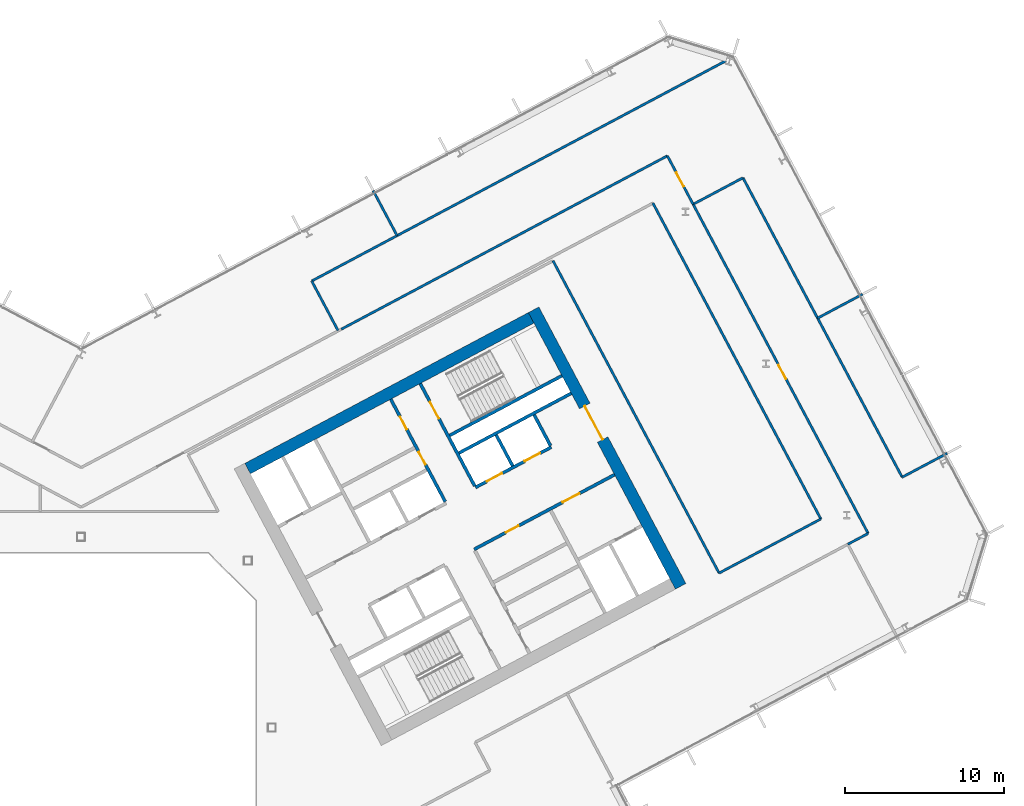
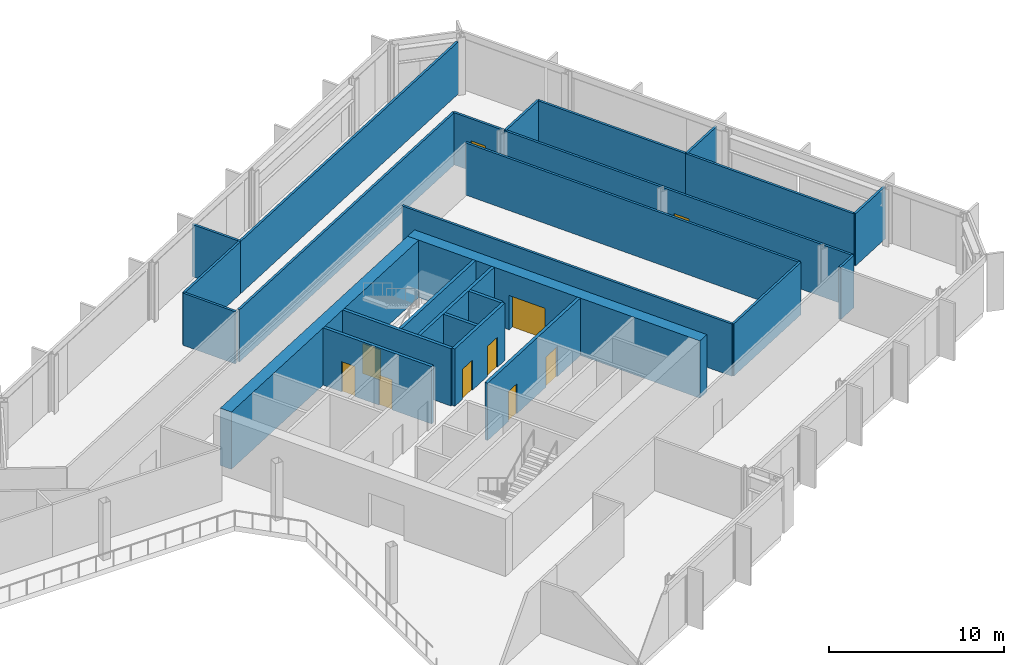
# One storey, part 17 of 28: 26 walls, 10 doors, 10 openings.
"""IFC4 building model written with IfcOpenShell, lengths in metres."""

import ifcopenshell
import ifcopenshell.guid

model = None  # the IFC model being written
_history = None  # IfcOwnerHistory: only IFC2X3 demands one
_inside = {}  # id of a spatial element -> (the spatial element, [elements in it])
_under = {}  # id of a project, library or spatial element -> (it, [spatial elements below it])
_declared = {}  # id of a project -> (the project, [libraries it declares])
_typed = {}  # id of a type object -> (the type object, [elements of that type])
_made_of = {}  # id of a material, layer set ... -> (it, [elements and type objects made of it])


def new_model(schema):
    """Start an empty IFC model of exactly this schema.

    Asked for "IFC4X3", IfcOpenShell would pick the latest addendum, in which some entities
    have other attributes; the version numbers below select the first issue.
    IFC2X3 requires an IfcOwnerHistory on every rooted entity: one is made here for all.
    """
    global model, _history
    if schema == "IFC4X3":
        model = ifcopenshell.file(schema_version=(4, 3, 0, 0))
    else:
        model = ifcopenshell.file(schema=schema)
    _inside.clear()
    _under.clear()
    _declared.clear()
    _typed.clear()
    _made_of.clear()
    _history = None
    if model.schema == "IFC2X3":
        org = make("IfcOrganization", Name="unknown")
        user = make(
            "IfcPersonAndOrganization",
            ThePerson=make("IfcPerson", FamilyName="unknown"),
            TheOrganization=org,
        )
        app = make(
            "IfcApplication",
            ApplicationDeveloper=org,
            Version="unknown",
            ApplicationFullName="unknown",
            ApplicationIdentifier="unknown",
        )
        _history = make(
            "IfcOwnerHistory",
            OwningUser=user,
            OwningApplication=app,
            ChangeAction="ADDED",
            CreationDate=0,
        )
    return model


def make(cls, **values):
    """One entity of the class cls with the attributes given. An attribute that is None is left unset."""
    return model.create_entity(
        cls, **{name: value for name, value in values.items() if value is not None}
    )


def rooted(cls, **values):
    """An entity with a GlobalId (a new one), such as an element, a storey or a relation."""
    return make(cls, GlobalId=ifcopenshell.guid.new(), OwnerHistory=_history, **values)


def si_unit(unit_type, name, prefix=None):
    """IfcSIUnit, for example si_unit("LENGTHUNIT", "METRE", prefix="MILLI")."""
    return make("IfcSIUnit", UnitType=unit_type, Prefix=prefix, Name=name)


def assignment(units):
    """IfcUnitAssignment: the units of a project."""
    return None if units is None else make("IfcUnitAssignment", Units=units)


def point(xyz):
    """IfcCartesianPoint."""
    return None if xyz is None else make("IfcCartesianPoint", Coordinates=xyz)


def direction(xyz):
    """IfcDirection."""
    return None if xyz is None else make("IfcDirection", DirectionRatios=xyz)


def frame(location, z_axis=None, x_axis=None):
    """IfcAxis2Placement3D, a coordinate frame: its origin and axes. An axis left out is left unset."""
    return make(
        "IfcAxis2Placement3D",
        Location=point(location),
        Axis=direction(z_axis),
        RefDirection=direction(x_axis),
    )


def frame_2d(location, x_axis=None):
    """IfcAxis2Placement2D, a coordinate frame in the plane: its origin and x axis."""
    return make(
        "IfcAxis2Placement2D", Location=point(location), RefDirection=direction(x_axis)
    )


def origin():
    """The frame at (0, 0, 0) with its axes left unset."""
    return frame((0.0, 0.0, 0.0))


def place(relative_to, where):
    """IfcLocalPlacement: puts the frame where relative to a parent placement (None: the world)."""
    return make(
        "IfcLocalPlacement", PlacementRelTo=relative_to, RelativePlacement=where
    )


def context(
    kind, dimensions, precision=None, world=None, true_north=None, identifier=None
):
    """IfcGeometricRepresentationContext, for example the 3D "Model" context."""
    return make(
        "IfcGeometricRepresentationContext",
        ContextIdentifier=identifier,
        ContextType=kind,
        CoordinateSpaceDimension=dimensions,
        Precision=precision,
        WorldCoordinateSystem=world,
        TrueNorth=true_north,
    )


def subcontext(parent, identifier, kind, view, scale=None):
    """IfcGeometricRepresentationSubContext, for example "Body" below "Model"."""
    return make(
        "IfcGeometricRepresentationSubContext",
        ContextIdentifier=identifier,
        ContextType=kind,
        ParentContext=parent,
        TargetScale=scale,
        TargetView=view,
    )


def project(units=None, contexts=None):
    """IfcProject with its units and contexts."""
    return rooted(
        "IfcProject",
        Name="project",
        RepresentationContexts=contexts,
        UnitsInContext=assignment(units),
    )


def spatial(cls, under=None, at=None, **own):
    """A site, building, storey or space (cls), placed at a placement, below another one or the project."""
    s = rooted(cls, ObjectPlacement=at, **own)
    if under is not None:
        _under.setdefault(under.id(), (under, []))[1].append(s)
    return s


def profile(cls, at=None, kind="AREA", **sizes):
    """A parametric profile (cls). Its sizes go by their IFC names, for example OverallWidth=200.0."""
    return make(cls, ProfileType=kind, Position=at, **sizes)


def rectangle(**sizes):
    """IfcRectangleProfileDef."""
    return profile("IfcRectangleProfileDef", **sizes)


def extrude(swept, where, along, depth):
    """IfcExtrudedAreaSolid: the profile swept, set in the frame where, extruded along a direction by depth."""
    return make(
        "IfcExtrudedAreaSolid",
        SweptArea=swept,
        Position=where,
        ExtrudedDirection=direction(along),
        Depth=depth,
    )


def shape(context_of_items, identifier, shape_type, items):
    """IfcShapeRepresentation: the items that make up one representation, for example the "Body"."""
    return make(
        "IfcShapeRepresentation",
        ContextOfItems=context_of_items,
        RepresentationIdentifier=identifier,
        RepresentationType=shape_type,
        Items=items,
    )


def material(Name=None, Category=None):
    """IfcMaterial."""
    return make("IfcMaterial", Name=Name, Category=Category)


def layer(
    of_material, thickness, ventilated=None, Name=None, Category=None, Priority=None
):
    """IfcMaterialLayer: one layer of a wall or slab, of a material (None: an air gap)."""
    return make(
        "IfcMaterialLayer",
        Material=of_material,
        LayerThickness=thickness,
        IsVentilated=ventilated,
        Name=Name,
        Category=Category,
        Priority=Priority,
    )


def layer_set(layers, Name=None):
    """IfcMaterialLayerSet."""
    return make("IfcMaterialLayerSet", MaterialLayers=layers, LayerSetName=Name)


def made_of(thing, what):
    """Note that an element or type object is made of a material, layer set ...; save() writes the relation."""
    if what is not None:
        _made_of.setdefault(what.id(), (what, []))[1].append(thing)
    return thing


def type_object(cls, material=None, **own):
    """A type object (cls), such as IfcWallType, which elements share."""
    return made_of(rooted(cls, **own), material)


def element(
    cls,
    number,
    at=None,
    inside=None,
    cuts=None,
    type_object=None,
    material=None,
    context=None,
    identifier="Body",
    shape_type=None,
    held_by="IfcProductDefinitionShape",
    body=None,
    shapes=None,
    **own,
):
    """One element of the class cls, such as IfcWall. Its Tag is "e" and its number.

    at: its placement. inside: the storey or other place that contains it. cuts: it is an
    opening in that element (IfcRelVoidsElement). A single representation is given by context,
    identifier, shape_type and body (its items); several are given by shapes. held_by: the class
    of the entity that holds the representations. save() writes the other relations.
    """
    e = rooted(cls, Tag="e%d" % number, ObjectPlacement=at, **own)
    if body is not None:
        shapes = [shape(context, identifier, shape_type, body)]
    if shapes is not None:
        e.Representation = make(held_by, Representations=shapes)
    if inside is not None:
        _inside.setdefault(inside.id(), (inside, []))[1].append(e)
    if cuts is not None:
        rooted(
            "IfcRelVoidsElement", RelatingBuildingElement=cuts, RelatedOpeningElement=e
        )
    if type_object is not None:
        _typed.setdefault(type_object.id(), (type_object, []))[1].append(e)
    return made_of(e, material)


def fill(opening, filler):
    """IfcRelFillsElement: the door or window that sits in an opening."""
    return rooted(
        "IfcRelFillsElement",
        RelatingOpeningElement=opening,
        RelatedBuildingElement=filler,
    )


def aggregate(whole, parts):
    """IfcRelAggregates: a whole, such as a stair, and the parts it consists of."""
    return rooted("IfcRelAggregates", RelatingObject=whole, RelatedObjects=parts)


def save(model, path):
    """Write the relations noted so far, then the file.

    IfcRelAggregates (storeys below a building ...), IfcRelContainedInSpatialStructure (elements
    in a storey), IfcRelDefinesByType, IfcRelAssociatesMaterial and IfcRelDeclares: one each for
    every whole, place, type object, material and project.
    """
    for whole, parts in _under.values():
        aggregate(whole, parts)
    for where, things in _inside.values():
        rooted(
            "IfcRelContainedInSpatialStructure",
            RelatedElements=things,
            RelatingStructure=where,
        )
    for kind, things in _typed.values():
        rooted("IfcRelDefinesByType", RelatedObjects=things, RelatingType=kind)
    for what, things in _made_of.values():
        rooted("IfcRelAssociatesMaterial", RelatedObjects=things, RelatingMaterial=what)
    for by, libraries in _declared.values():
        rooted("IfcRelDeclares", RelatingContext=by, RelatedDefinitions=libraries)
    model.write(path)


model = new_model("IFC4")

# Units and contexts
model_context = context("Model", 3, precision=1e-05, world=origin(), true_north=direction((0.0, 1.0)))
body_context = subcontext(model_context, "Body", "Model", "MODEL_VIEW")
ifc_project = project(units=[si_unit("LENGTHUNIT", "METRE"), si_unit("AREAUNIT", "SQUARE_METRE"), si_unit("VOLUMEUNIT", "CUBIC_METRE"), si_unit("PLANEANGLEUNIT", "RADIAN"), si_unit("MASSUNIT", "GRAM", prefix="KILO")], contexts=[model_context])

# Site, building, storey
site_placement = place(None, origin())
site = spatial("IfcSite", under=ifc_project, at=site_placement, CompositionType="ELEMENT")
building_placement = place(site_placement, origin())
building = spatial("IfcBuilding", under=site, at=building_placement, Name="Cormorant Relay Tower", CompositionType="ELEMENT")
storey_placement = place(building_placement, frame((0.0, 0.0, 162.199951171875)))
storey = spatial("IfcBuildingStorey", under=building, at=storey_placement, Name="L34", CompositionType="ELEMENT", Elevation=162.199951171875)

# Wall
ifc_material_1 = material(Name="Concrete 40 MPa", Category="concrete")
ifc_layer_1 = layer(ifc_material_1, 0.199951171875)
ifc_layer_set_1 = layer_set([ifc_layer_1], Name="Core internal wall 200")
wall_type_1 = type_object("IfcWallType", Name="Core internal wall 200", PredefinedType="SOLIDWALL", material=ifc_layer_set_1)
wall_1_placement = place(storey_placement, frame((27.144287109375, 16.471435546875, 0.0), z_axis=(0.0, 0.0, 1.0), x_axis=(-0.469401318492, 0.882984938828, 0.0)))
element("IfcWall", 1, at=wall_1_placement, inside=storey, type_object=wall_type_1, Name="L34 core B shaft and room wall", PredefinedType="SOLIDWALL", context=body_context, shape_type="SweptSolid", body=[
    extrude(rectangle(XDim=2.199951171875, YDim=0.199951171875, at=frame_2d((1.10009765625, 0.0))), origin(), (0.0, 0.0, 1.0), 4.0),
])

# Wall, openings, doors
ifc_material_2 = material(Name="Concrete 50 MPa", Category="concrete")
ifc_layer_2 = layer(ifc_material_2, 0.199951171875)
ifc_layer_set_2 = layer_set([ifc_layer_2], Name="Core shaft wall 200")
wall_type_2 = type_object("IfcWallType", Name="Core shaft wall 200", PredefinedType="SHEAR", material=ifc_layer_set_2)
wall_2_placement = place(storey_placement, frame((22.90625, 14.218017578125, 0.0), z_axis=(0.0, 0.0, 1.0), x_axis=(-0.469480409012, 0.88294288918, 0.0)))
wall_2 = element("IfcWall", 2, at=wall_2_placement, inside=storey, type_object=wall_type_2, Name="L34 core B shaft wall", PredefinedType="SHEAR", context=body_context, shape_type="SweptSolid", body=[
    extrude(rectangle(XDim=7.300048828125, YDim=0.199951171875, at=frame_2d((3.64990234375, 0.0))), origin(), (0.0, 0.0, 1.0), 4.0),
])
opening_1_placement = place(wall_2_placement, frame((2.64990234375, 0.0, 0.0)))
opening_1 = element("IfcOpeningElement", 3, at=opening_1_placement, cuts=wall_2, Name="Opening CDD-208", PredefinedType="OPENING", context=body_context, shape_type="SweptSolid", body=[
    extrude(rectangle(XDim=0.89990234375, YDim=2.10009765625, at=frame_2d((0.449951171875, 1.050048828125))), frame((0.0, 0.10986328125, 0.0), z_axis=(0.0, -1.0, 0.0), x_axis=(1.0, 0.0, 0.0)), (0.0, 0.0, 1.0), 0.219970703125),
])
opening_2_placement = place(wall_2_placement, frame((5.14990234375, 0.0, 0.0)))
opening_2 = element("IfcOpeningElement", 4, at=opening_2_placement, cuts=wall_2, Name="Opening CDD-209", PredefinedType="OPENING", context=body_context, shape_type="SweptSolid", body=[
    extrude(rectangle(XDim=0.89990234375, YDim=2.10009765625, at=frame_2d((0.449951171875, 1.050048828125))), frame((0.0, 0.10986328125, 0.0), z_axis=(0.0, -1.0, 0.0), x_axis=(1.0, 0.0, 0.0)), (0.0, 0.0, 1.0), 0.219970703125),
])
ifc_material_3 = material(Name="Steel fire door", Category="steel")
door_type_1 = type_object("IfcDoorType", Name="Core room door 900x2100", OperationType="SINGLE_SWING_LEFT", PredefinedType="DOOR", material=ifc_material_3)
door_1_placement = place(opening_1_placement, origin())
door_1 = element("IfcDoor", 5, at=door_1_placement, inside=storey, type_object=door_type_1, Name="Core room door 900x2100", OperationType="SINGLE_SWING_RIGHT", OverallHeight=2.10009765625, OverallWidth=0.89990234375, PredefinedType="DOOR", context=body_context, shape_type="SweptSolid", body=[
    extrude(rectangle(XDim=0.89990234375, YDim=2.10009765625, at=frame_2d((0.449951171875, 1.050048828125))), frame((0.0, 0.02490234375, 0.0), z_axis=(0.0, -1.0, 0.0), x_axis=(1.0, 0.0, 0.0)), (0.0, 0.0, 1.0), 0.050048828125),
])
fill(opening_1, door_1)
door_2_placement = place(opening_2_placement, origin())
door_2 = element("IfcDoor", 6, at=door_2_placement, inside=storey, type_object=door_type_1, Name="Core room door 900x2100", OperationType="SINGLE_SWING_LEFT", OverallHeight=2.10009765625, OverallWidth=0.89990234375, PredefinedType="DOOR", context=body_context, shape_type="SweptSolid", body=[
    extrude(rectangle(XDim=0.89990234375, YDim=2.10009765625, at=frame_2d((0.449951171875, 1.050048828125))), frame((0.0, 0.02490234375, 0.0), z_axis=(0.0, -1.0, 0.0), x_axis=(1.0, 0.0, 0.0)), (0.0, 0.0, 1.0), 0.050048828125),
])
fill(opening_2, door_2)

# Wall, opening, door
wall_3_placement = place(storey_placement, frame((24.760498046875, 15.2041015625, 0.0), z_axis=(0.0, 0.0, 1.0), x_axis=(-0.469494272526, 0.882935517501, 0.0)))
wall_3 = element("IfcWall", 7, at=wall_3_placement, inside=storey, type_object=wall_type_2, Name="L34 core B shaft wall", PredefinedType="SHEAR", context=body_context, shape_type="SweptSolid", body=[
    extrude(rectangle(XDim=7.2998046875, YDim=0.199951171875, at=frame_2d((3.64990234375, 0.0))), origin(), (0.0, 0.0, 1.0), 4.0),
])
opening_3_placement = place(wall_3_placement, frame((4.800048828125, 0.0, 0.0)))
opening_3 = element("IfcOpeningElement", 8, at=opening_3_placement, cuts=wall_3, Name="Opening CDB-037", PredefinedType="OPENING", context=body_context, shape_type="SweptSolid", body=[
    extrude(rectangle(XDim=1.199951171875, YDim=2.10009765625, at=frame_2d((0.60009765625, 1.050048828125))), frame((0.0, 0.10986328125, 0.0), z_axis=(0.0, -1.0, 0.0), x_axis=(1.0, 0.0, 0.0)), (0.0, 0.0, 1.0), 0.219970703125),
])
ifc_material_4 = material(Name="Steel fire door", Category="steel")
door_type_2 = type_object("IfcDoorType", Name="Core stair door 1200x2100", OperationType="SINGLE_SWING_LEFT", PredefinedType="DOOR", material=ifc_material_4)
door_3_placement = place(opening_3_placement, frame((1.199951171875, 0.0, 0.0), z_axis=(0.0, 0.0, 1.0), x_axis=(-1.0, 0.0, 0.0)))
door_3 = element("IfcDoor", 9, at=door_3_placement, inside=storey, type_object=door_type_2, Name="Core stair door 1200x2100", OperationType="SINGLE_SWING_RIGHT", OverallHeight=2.10009765625, OverallWidth=1.199951171875, PredefinedType="DOOR", context=body_context, shape_type="SweptSolid", body=[
    extrude(rectangle(XDim=1.199951171875, YDim=2.10009765625, at=frame_2d((0.60009765625, 1.050048828125))), frame((0.0, 0.02490234375, 0.0), z_axis=(0.0, -1.0, 0.0), x_axis=(1.0, 0.0, 0.0)), (0.0, 0.0, 1.0), 0.050048828125),
])
fill(opening_3, door_3)

# Wall
wall_4_placement = place(storey_placement, frame((29.5283203125, 17.739013671875, 0.0), z_axis=(0.0, 0.0, 1.0), x_axis=(-0.469401318492, 0.882984938828, 0.0)))
element("IfcWall", 10, at=wall_4_placement, inside=storey, type_object=wall_type_2, Name="L34 core B shaft wall", PredefinedType="SHEAR", context=body_context, shape_type="SweptSolid", body=[
    extrude(rectangle(XDim=2.199951171875, YDim=0.199951171875, at=frame_2d((1.10009765625, 0.0))), origin(), (0.0, 0.0, 1.0), 4.0),
])

# Wall, openings, doors
wall_5_placement = place(storey_placement, frame((24.72607421875, 11.2216796875, 0.0), z_axis=(0.0, 0.0, 1.0), x_axis=(0.882940221191, 0.469485426614, 0.0)))
wall_5 = element("IfcWall", 11, at=wall_5_placement, inside=storey, type_object=wall_type_2, Name="L34 core B shaft wall", PredefinedType="SHEAR", context=body_context, shape_type="SweptSolid", body=[
    extrude(rectangle(XDim=10.0, YDim=0.199951171875, at=frame_2d((5.0, 0.0))), origin(), (0.0, 0.0, 1.0), 4.0),
])
opening_4_placement = place(wall_5_placement, frame((6.300048828125, 0.0, 0.0)))
opening_4 = element("IfcOpeningElement", 12, at=opening_4_placement, cuts=wall_5, Name="Opening CDC-030", PredefinedType="OPENING", context=body_context, shape_type="SweptSolid", body=[
    extrude(rectangle(XDim=1.199951171875, YDim=2.10009765625, at=frame_2d((0.60009765625, 1.050048828125))), frame((0.0, 0.10986328125, 0.0), z_axis=(0.0, -1.0, 0.0), x_axis=(1.0, 0.0, 0.0)), (0.0, 0.0, 1.0), 0.219970703125),
])
opening_5_placement = place(wall_5_placement, frame((2.25, 0.0, 0.0)))
opening_5 = element("IfcOpeningElement", 13, at=opening_5_placement, cuts=wall_5, Name="Opening CDD-191", PredefinedType="OPENING", context=body_context, shape_type="SweptSolid", body=[
    extrude(rectangle(XDim=0.89990234375, YDim=2.10009765625, at=frame_2d((0.449951171875, 1.050048828125))), frame((0.0, 0.10986328125, 0.0), z_axis=(0.0, -1.0, 0.0), x_axis=(1.0, 0.0, 0.0)), (0.0, 0.0, 1.0), 0.219970703125),
])
ifc_material_5 = material(Name="Steel fire door", Category="steel")
door_type_3 = type_object("IfcDoorType", Name="Core lobby door 1200x2100", OperationType="SINGLE_SWING_LEFT", PredefinedType="DOOR", material=ifc_material_5)
door_4_placement = place(opening_4_placement, origin())
door_4 = element("IfcDoor", 14, at=door_4_placement, inside=storey, type_object=door_type_3, Name="Core lobby door 1200x2100", OperationType="SINGLE_SWING_LEFT", OverallHeight=2.10009765625, OverallWidth=1.199951171875, PredefinedType="DOOR", context=body_context, shape_type="SweptSolid", body=[
    extrude(rectangle(XDim=1.199951171875, YDim=2.10009765625, at=frame_2d((0.60009765625, 1.050048828125))), frame((0.0, 0.02490234375, 0.0), z_axis=(0.0, -1.0, 0.0), x_axis=(1.0, 0.0, 0.0)), (0.0, 0.0, 1.0), 0.050048828125),
])
fill(opening_4, door_4)
door_5_placement = place(opening_5_placement, origin())
door_5 = element("IfcDoor", 15, at=door_5_placement, inside=storey, type_object=door_type_1, Name="Core room door 900x2100", OperationType="SINGLE_SWING_LEFT", OverallHeight=2.10009765625, OverallWidth=0.89990234375, PredefinedType="DOOR", context=body_context, shape_type="SweptSolid", body=[
    extrude(rectangle(XDim=0.89990234375, YDim=2.10009765625, at=frame_2d((0.449951171875, 1.050048828125))), frame((0.0, 0.02490234375, 0.0), z_axis=(0.0, -1.0, 0.0), x_axis=(1.0, 0.0, 0.0)), (0.0, 0.0, 1.0), 0.050048828125),
])
fill(opening_5, door_5)

wall_6_placement = place(storey_placement, frame((24.807373046875, 15.11572265625, 0.0), z_axis=(0.0, 0.0, 1.0), x_axis=(0.882942972946, 0.469480251476, 0.0)))
wall_6 = element("IfcWall", 16, at=wall_6_placement, inside=storey, type_object=wall_type_2, Name="L34 core B shaft wall", PredefinedType="SHEAR", context=body_context, shape_type="SweptSolid", body=[
    extrude(rectangle(XDim=5.39990234375, YDim=0.199951171875, at=frame_2d((2.699951171875, 0.0))), origin(), (0.0, 0.0, 1.0), 4.0),
])
opening_6_placement = place(wall_6_placement, frame((0.800048828125, 0.0, 0.0)))
opening_6 = element("IfcOpeningElement", 17, at=opening_6_placement, cuts=wall_6, Name="Opening LD1-046", PredefinedType="OPENING", context=body_context, shape_type="SweptSolid", body=[
    extrude(rectangle(XDim=1.10009765625, YDim=2.10009765625, at=frame_2d((0.550048828125, 1.050048828125))), frame((0.0, 0.10986328125, 0.0), z_axis=(0.0, -1.0, 0.0), x_axis=(1.0, 0.0, 0.0)), (0.0, 0.0, 1.0), 0.219970703125),
])
opening_7_placement = place(wall_6_placement, frame((3.5, 0.0, 0.0)))
opening_7 = element("IfcOpeningElement", 18, at=opening_7_placement, cuts=wall_6, Name="Opening LD1-047", PredefinedType="OPENING", context=body_context, shape_type="SweptSolid", body=[
    extrude(rectangle(XDim=1.10009765625, YDim=2.10009765625, at=frame_2d((0.550048828125, 1.050048828125))), frame((0.0, 0.10986328125, 0.0), z_axis=(0.0, -1.0, 0.0), x_axis=(1.0, 0.0, 0.0)), (0.0, 0.0, 1.0), 0.219970703125),
])
ifc_material_6 = material(Name="Stainless steel 316", Category="steel")
door_type_4 = type_object("IfcDoorType", Name="Lift landing door 1100x2100", OperationType="DOUBLE_DOOR_SLIDING", PredefinedType="DOOR", material=ifc_material_6)
door_6_placement = place(opening_6_placement, origin())
door_6 = element("IfcDoor", 19, at=door_6_placement, inside=storey, type_object=door_type_4, Name="LR3 landing door", OperationType="DOUBLE_DOOR_SLIDING", OverallHeight=2.10009765625, OverallWidth=1.10009765625, PredefinedType="DOOR", context=body_context, shape_type="SweptSolid", body=[
    extrude(rectangle(XDim=1.10009765625, YDim=2.10009765625, at=frame_2d((0.550048828125, 1.050048828125))), frame((0.0, 0.02490234375, 0.0), z_axis=(0.0, -1.0, 0.0), x_axis=(1.0, 0.0, 0.0)), (0.0, 0.0, 1.0), 0.050048828125),
])
fill(opening_6, door_6)
door_7_placement = place(opening_7_placement, origin())
door_7 = element("IfcDoor", 20, at=door_7_placement, inside=storey, type_object=door_type_4, Name="LR4 landing door", OperationType="DOUBLE_DOOR_SLIDING", OverallHeight=2.10009765625, OverallWidth=1.10009765625, PredefinedType="DOOR", context=body_context, shape_type="SweptSolid", body=[
    extrude(rectangle(XDim=1.10009765625, YDim=2.10009765625, at=frame_2d((0.550048828125, 1.050048828125))), frame((0.0, 0.02490234375, 0.0), z_axis=(0.0, -1.0, 0.0), x_axis=(1.0, 0.0, 0.0)), (0.0, 0.0, 1.0), 0.050048828125),
])
fill(opening_7, door_7)

# Walls
wall_7_placement = place(storey_placement, frame((23.76904296875, 17.28173828125, 0.0), z_axis=(0.0, 0.0, 1.0), x_axis=(0.882940221191, 0.469485426614, 0.0)))
element("IfcWall", 21, at=wall_7_placement, inside=storey, type_object=wall_type_2, Name="L34 core B shaft wall", PredefinedType="SHEAR", context=body_context, shape_type="SweptSolid", body=[
    extrude(rectangle(XDim=8.0, YDim=0.199951171875, at=frame_2d((4.0, 0.0))), origin(), (0.0, 0.0, 1.0), 4.0),
])
wall_8_placement = place(storey_placement, frame((23.18212890625, 18.385498046875, 0.0), z_axis=(0.0, 0.0, 1.0), x_axis=(0.88295287151, 0.469461634952, 0.0)))
element("IfcWall", 22, at=wall_8_placement, inside=storey, type_object=wall_type_2, Name="L34 core B shaft wall", PredefinedType="SHEAR", context=body_context, shape_type="SweptSolid", body=[
    extrude(rectangle(XDim=7.999755859375, YDim=0.199951171875, at=frame_2d((4.0, 0.0))), origin(), (0.0, 0.0, 1.0), 4.0),
])

# Wall, opening, door
ifc_material_7 = material(Name="Concrete 60 MPa", Category="concrete")
ifc_layer_3 = layer(ifc_material_7, 0.75)
ifc_layer_set_3 = layer_set([ifc_layer_3], Name="Core wall 750")
wall_type_3 = type_object("IfcWallType", Name="Core wall 750", PredefinedType="SHEAR", material=ifc_layer_set_3)
wall_9_placement = place(storey_placement, frame((37.712646484375, 8.896484375, 0.0), z_axis=(0.0, 0.0, 1.0), x_axis=(-0.469469918705, 0.88294846703, 0.0)))
wall_9 = element("IfcWall", 23, at=wall_9_placement, inside=storey, type_object=wall_type_3, Name="L34 core B wall", PredefinedType="SHEAR", context=body_context, shape_type="SweptSolid", body=[
    extrude(rectangle(XDim=19.699951171875, YDim=0.75, at=frame_2d((9.85009765625, 0.0))), origin(), (0.0, 0.0, 1.0), 4.0),
])
opening_8_placement = place(wall_9_placement, frame((10.449951171875, 0.0, 0.0)))
opening_8 = element("IfcOpeningElement", 24, at=opening_8_placement, cuts=wall_9, Name="Opening CDA-029", PredefinedType="OPENING", context=body_context, shape_type="SweptSolid", body=[
    extrude(rectangle(XDim=2.39990234375, YDim=2.39990234375, at=frame_2d((1.199951171875, 1.199951171875))), frame((0.0, 0.385009765625, 0.0), z_axis=(0.0, -1.0, 0.0), x_axis=(1.0, 0.0, 0.0)), (0.0, 0.0, 1.0), 0.77001953125),
])
ifc_material_8 = material(Name="Steel fire door", Category="steel")
door_type_5 = type_object("IfcDoorType", Name="Core lobby door 2400x2400", OperationType="DOUBLE_DOOR_SINGLE_SWING", PredefinedType="DOOR", material=ifc_material_8)
door_8_placement = place(opening_8_placement, origin())
door_8 = element("IfcDoor", 25, at=door_8_placement, inside=storey, type_object=door_type_5, Name="Core lobby door 2400x2400", OperationType="DOUBLE_DOOR_SINGLE_SWING", OverallHeight=2.39990234375, OverallWidth=2.39990234375, PredefinedType="DOOR", context=body_context, shape_type="SweptSolid", body=[
    extrude(rectangle(XDim=2.39990234375, YDim=2.39990234375, at=frame_2d((1.199951171875, 1.199951171875))), frame((0.0, 0.02490234375, 0.0), z_axis=(0.0, -1.0, 0.0), x_axis=(1.0, 0.0, 0.0)), (0.0, 0.0, 1.0), 0.050048828125),
])
fill(opening_8, door_8)

# Walls
wall_10_placement = place(storey_placement, frame((10.4736328125, 16.300048828125, 0.0), z_axis=(0.0, 0.0, 1.0), x_axis=(0.88295010195, 0.469466843842, 0.0)))
element("IfcWall", 26, at=wall_10_placement, inside=storey, type_object=wall_type_3, Name="L34 core B wall", PredefinedType="SHEAR", context=body_context, shape_type="SweptSolid", body=[
    extrude(rectangle(XDim=20.199951171875, YDim=0.75, at=frame_2d((10.10009765625, 0.0))), origin(), (0.0, 0.0, 1.0), 4.0),
])
ifc_material_9 = material(Name="Gypsum board fire partition")
ifc_layer_4 = layer(ifc_material_9, 0.14990234375)
ifc_layer_set_4 = layer_set([ifc_layer_4], Name="Corridor partition 150 EI 60")
wall_type_4 = type_object("IfcWallType", Name="Corridor partition 150 EI 60", PredefinedType="PARTITIONING", material=ifc_layer_set_4)
wall_11_placement = place(storey_placement, frame((35.968017578125, 32.9990234375, 0.0), z_axis=(0.0, 0.0, 1.0), x_axis=(0.469455871296, -0.882955935993, 0.0)))
element("IfcWall", 27, at=wall_11_placement, inside=storey, type_object=wall_type_4, Name="wall/L34/part/052", PredefinedType="PARTITIONING", context=body_context, shape_type="SweptSolid", body=[
    extrude(rectangle(XDim=22.50048828125, YDim=0.14990234375, at=frame_2d((11.250244140625, 0.0))), origin(), (0.0, 0.0, 1.0), 3.64013671875),
])
wall_12_placement = place(storey_placement, frame((46.531005859375, 13.132080078125, 0.0), z_axis=(0.0, 0.0, 1.0), x_axis=(-0.882973969552, -0.46942195208, 0.0)))
element("IfcWall", 28, at=wall_12_placement, inside=storey, type_object=wall_type_4, Name="wall/L34/part/053", PredefinedType="PARTITIONING", context=body_context, shape_type="SweptSolid", body=[
    extrude(rectangle(XDim=7.24951171875, YDim=0.14990234375, at=frame_2d((3.624755859375, 0.0))), origin(), (0.0, 0.0, 1.0), 3.64013671875),
])
wall_13_placement = place(storey_placement, frame((40.1298828125, 9.72900390625, 0.0), z_axis=(0.0, 0.0, 1.0), x_axis=(-0.469484128043, 0.882940911679, 0.0)))
element("IfcWall", 29, at=wall_13_placement, inside=storey, type_object=wall_type_4, Name="wall/L34/part/054", PredefinedType="PARTITIONING", context=body_context, shape_type="SweptSolid", body=[
    extrude(rectangle(XDim=22.24951171875, YDim=0.14990234375, at=frame_2d((11.124755859375, 0.0))), origin(), (0.0, 0.0, 1.0), 3.64013671875),
])

# Wall, opening, door
wall_14_placement = place(storey_placement, frame((38.493896484375, 32.93408203125, 0.0), z_axis=(0.0, 0.0, 1.0), x_axis=(-0.469590631125, 0.882884272801, 0.0)))
wall_14 = element("IfcWall", 30, at=wall_14_placement, inside=storey, type_object=wall_type_4, Name="wall/L34/part/068", PredefinedType="PARTITIONING", context=body_context, shape_type="SweptSolid", body=[
    extrude(rectangle(XDim=3.443359375, YDim=0.14990234375, at=frame_2d((1.7216796875, 0.0))), origin(), (0.0, 0.0, 1.0), 3.64013671875),
])
opening_9_placement = place(wall_14_placement, frame((1.25, 0.0, 0.0)))
opening_9 = element("IfcOpeningElement", 31, at=opening_9_placement, cuts=wall_14, Name="Opening DS-049", PredefinedType="OPENING", context=body_context, shape_type="SweptSolid", body=[
    extrude(rectangle(XDim=1.0, YDim=2.10009765625, at=frame_2d((0.5, 1.050048828125))), frame((0.0, 0.0849609375, 0.0), z_axis=(0.0, -1.0, 0.0), x_axis=(1.0, 0.0, 0.0)), (0.0, 0.0, 1.0), 0.169921875),
])
ifc_material_10 = material(Name="Timber door leaf", Category="wood")
door_type_6 = type_object("IfcDoorType", Name="Suite door 1000x2100", OperationType="SINGLE_SWING_LEFT", PredefinedType="DOOR", material=ifc_material_10)
door_9_placement = place(opening_9_placement, frame((1.0, 0.0, 0.0), z_axis=(0.0, 0.0, 1.0), x_axis=(-1.0, 0.0, 0.0)))
door_9 = element("IfcDoor", 32, at=door_9_placement, inside=storey, type_object=door_type_6, Name="door/L34/007", OperationType="SINGLE_SWING_RIGHT", OverallHeight=2.10009765625, OverallWidth=1.0, PredefinedType="DOOR", context=body_context, shape_type="SweptSolid", body=[
    extrude(rectangle(XDim=1.0, YDim=2.10009765625, at=frame_2d((0.5, 1.050048828125))), frame((0.0, 0.02490234375, 0.0), z_axis=(0.0, -1.0, 0.0), x_axis=(1.0, 0.0, 0.0)), (0.0, 0.0, 1.0), 0.050048828125),
])
fill(opening_9, door_9)

# Wall
wall_15_placement = place(storey_placement, frame((16.3720703125, 25.071044921875, 0.0), z_axis=(0.0, 0.0, 1.0), x_axis=(0.88294906825, 0.469468787968, 0.0)))
element("IfcWall", 33, at=wall_15_placement, inside=storey, type_object=wall_type_4, Name="wall/L34/part/069", PredefinedType="PARTITIONING", context=body_context, shape_type="SweptSolid", body=[
    extrude(rectangle(XDim=23.224365234375, YDim=0.14990234375, at=frame_2d((11.6123046875, 0.0))), origin(), (0.0, 0.0, 1.0), 3.64013671875),
])

# Wall, opening, door
wall_16_placement = place(storey_placement, frame((38.493896484375, 32.93408203125, 0.0), z_axis=(0.0, 0.0, 1.0), x_axis=(0.469489027753, -0.88293830635, 0.0)))
wall_16 = element("IfcWall", 34, at=wall_16_placement, inside=storey, type_object=wall_type_4, Name="wall/L34/part/077", PredefinedType="PARTITIONING", context=body_context, shape_type="SweptSolid", body=[
    extrude(rectangle(XDim=23.455810546875, YDim=0.14990234375, at=frame_2d((11.72802734375, 0.0))), origin(), (0.0, 0.0, 1.0), 3.64013671875),
])
opening_10_placement = place(wall_16_placement, frame((11.449951171875, 0.0, 0.0)))
opening_10 = element("IfcOpeningElement", 35, at=opening_10_placement, cuts=wall_16, Name="Opening DS-048", PredefinedType="OPENING", context=body_context, shape_type="SweptSolid", body=[
    extrude(rectangle(XDim=1.0, YDim=2.10009765625, at=frame_2d((0.5, 1.050048828125))), frame((0.0, 0.0849609375, 0.0), z_axis=(0.0, -1.0, 0.0), x_axis=(1.0, 0.0, 0.0)), (0.0, 0.0, 1.0), 0.169921875),
])
door_10_placement = place(opening_10_placement, origin())
door_10 = element("IfcDoor", 36, at=door_10_placement, inside=storey, type_object=door_type_6, Name="door/L34/006", OperationType="SINGLE_SWING_LEFT", OverallHeight=2.10009765625, OverallWidth=1.0, PredefinedType="DOOR", context=body_context, shape_type="SweptSolid", body=[
    extrude(rectangle(XDim=1.0, YDim=2.10009765625, at=frame_2d((0.5, 1.050048828125))), frame((0.0, 0.02490234375, 0.0), z_axis=(0.0, -1.0, 0.0), x_axis=(1.0, 0.0, 0.0)), (0.0, 0.0, 1.0), 0.050048828125),
])
fill(opening_10, door_10)

# Walls
wall_17_placement = place(storey_placement, frame((49.507080078125, 12.222900390625, 0.0), z_axis=(0.0, 0.0, 1.0), x_axis=(-0.882991303687, -0.469389345441, 0.0)))
element("IfcWall", 37, at=wall_17_placement, inside=storey, type_object=wall_type_4, Name="wall/L34/part/083", PredefinedType="PARTITIONING", context=body_context, shape_type="SweptSolid", body=[
    extrude(rectangle(XDim=1.448486328125, YDim=0.14990234375, at=frame_2d((0.72412109375, 0.0))), origin(), (0.0, 0.0, 1.0), 3.64013671875),
])
ifc_material_11 = material(Name="Gypsum board partition")
ifc_layer_5 = layer(ifc_material_11, 0.14990234375)
ifc_layer_set_5 = layer_set([ifc_layer_5], Name="Tenant partition 150")
wall_type_5 = type_object("IfcWallType", Name="Tenant partition 150", PredefinedType="PARTITIONING", material=ifc_layer_set_5)
wall_18_placement = place(storey_placement, frame((19.8349609375, 30.93310546875, 0.0), z_axis=(0.0, 0.0, 1.0), x_axis=(-0.882907712877, -0.46954655844, 0.0)))
element("IfcWall", 38, at=wall_18_placement, inside=storey, type_object=wall_type_5, Name="wall/L34/part/066", PredefinedType="PARTITIONING", context=body_context, shape_type="SweptSolid", body=[
    extrude(rectangle(XDim=6.03564453125, YDim=0.14990234375, at=frame_2d((3.017822265625, 0.0))), origin(), (0.0, 0.0, 1.0), 3.64013671875),
])
wall_19_placement = place(storey_placement, frame((14.506103515625, 28.09912109375, 0.0), z_axis=(0.0, 0.0, 1.0), x_axis=(0.469501472662, -0.882931688846, 0.0)))
element("IfcWall", 39, at=wall_19_placement, inside=storey, type_object=wall_type_5, Name="wall/L34/part/067", PredefinedType="PARTITIONING", context=body_context, shape_type="SweptSolid", body=[
    extrude(rectangle(XDim=3.5224609375, YDim=0.14990234375, at=frame_2d((1.76123046875, 0.0))), origin(), (0.0, 0.0, 1.0), 3.64013671875),
])
wall_20_placement = place(storey_placement, frame((18.3740234375, 33.780029296875, 0.0), z_axis=(0.0, 0.0, 1.0), x_axis=(0.469685095616, -0.882834022315, 0.0)))
element("IfcWall", 40, at=wall_20_placement, inside=storey, type_object=wall_type_5, Name="wall/L34/part/070", PredefinedType="PARTITIONING", context=body_context, shape_type="SweptSolid", body=[
    extrude(rectangle(XDim=3.199951171875, YDim=0.14990234375, at=frame_2d((1.60009765625, 0.0))), origin(), (0.0, 0.0, 1.0), 3.64013671875),
])
wall_21_placement = place(storey_placement, frame((19.8349609375, 30.93310546875, 0.0), z_axis=(0.0, 0.0, 1.0), x_axis=(0.88295274069, 0.469461880995, 0.0)))
element("IfcWall", 41, at=wall_21_placement, inside=storey, type_object=wall_type_5, Name="wall/L34/part/073", PredefinedType="PARTITIONING", context=body_context, shape_type="SweptSolid", body=[
    extrude(rectangle(XDim=23.475830078125, YDim=0.14990234375, at=frame_2d((11.73779296875, 0.0))), origin(), (0.0, 0.0, 1.0), 3.64013671875),
])
wall_22_placement = place(storey_placement, frame((46.326904296875, 25.764892578125, 0.0), z_axis=(0.0, 0.0, 1.0), x_axis=(-0.469495547168, 0.882934839719, 0.0)))
element("IfcWall", 42, at=wall_22_placement, inside=storey, type_object=wall_type_5, Name="wall/L34/part/078", PredefinedType="PARTITIONING", context=body_context, shape_type="SweptSolid", body=[
    extrude(rectangle(XDim=9.999755859375, YDim=0.14990234375, at=frame_2d((5.0, 0.0))), origin(), (0.0, 0.0, 1.0), 3.64013671875),
])
wall_23_placement = place(storey_placement, frame((41.632080078125, 34.593994140625, 0.0), z_axis=(0.0, 0.0, 1.0), x_axis=(-0.882969155568, -0.469431006981, 0.0)))
element("IfcWall", 43, at=wall_23_placement, inside=storey, type_object=wall_type_5, Name="wall/L34/part/079", PredefinedType="PARTITIONING", context=body_context, shape_type="SweptSolid", body=[
    extrude(rectangle(XDim=3.5380859375, YDim=0.14990234375, at=frame_2d((1.76904296875, 0.0))), origin(), (0.0, 0.0, 1.0), 3.64013671875),
])
wall_24_placement = place(storey_placement, frame((49.152099609375, 27.26806640625, 0.0), z_axis=(0.0, 0.0, 1.0), x_axis=(-0.882819217955, -0.469712921271, 0.0)))
element("IfcWall", 44, at=wall_24_placement, inside=storey, type_object=wall_type_5, Name="wall/L34/part/080", PredefinedType="PARTITIONING", context=body_context, shape_type="SweptSolid", body=[
    extrude(rectangle(XDim=3.2001953125, YDim=0.14990234375, at=frame_2d((1.60009765625, 0.0))), origin(), (0.0, 0.0, 1.0), 3.64013671875),
])
wall_25_placement = place(storey_placement, frame((46.326904296875, 25.764892578125, 0.0), z_axis=(0.0, 0.0, 1.0), x_axis=(0.46946183233, -0.882952766565, 0.0)))
element("IfcWall", 45, at=wall_25_placement, inside=storey, type_object=wall_type_5, Name="wall/L34/part/081", PredefinedType="PARTITIONING", context=body_context, shape_type="SweptSolid", body=[
    extrude(rectangle(XDim=11.332275390625, YDim=0.14990234375, at=frame_2d((5.666015625, 0.0))), origin(), (0.0, 0.0, 1.0), 3.64013671875),
])
wall_26_placement = place(storey_placement, frame((51.64697265625, 15.759033203125, 0.0), z_axis=(0.0, 0.0, 1.0), x_axis=(0.883154243406, 0.469082703107, 0.0)))
element("IfcWall", 46, at=wall_26_placement, inside=storey, type_object=wall_type_5, Name="wall/L34/part/082", PredefinedType="PARTITIONING", context=body_context, shape_type="SweptSolid", body=[
    extrude(rectangle(XDim=3.19970703125, YDim=0.14990234375, at=frame_2d((1.599853515625, 0.0))), origin(), (0.0, 0.0, 1.0), 3.64013671875),
])

save(model, "model.ifc")
